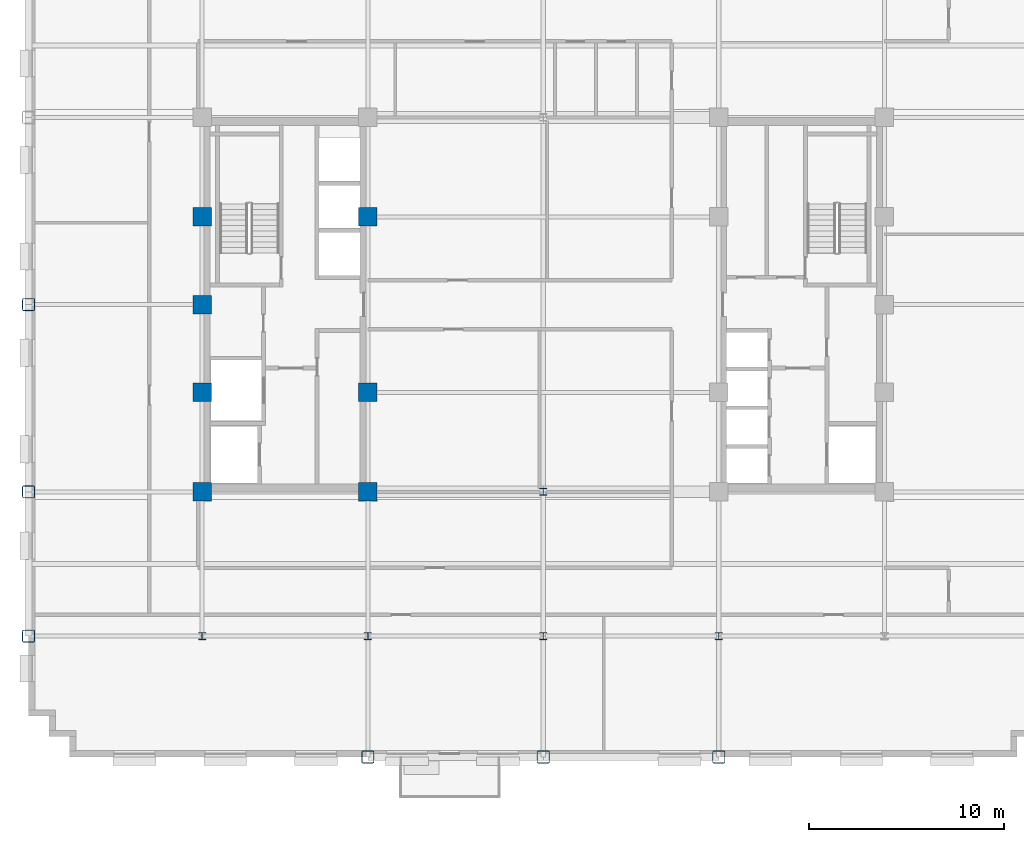
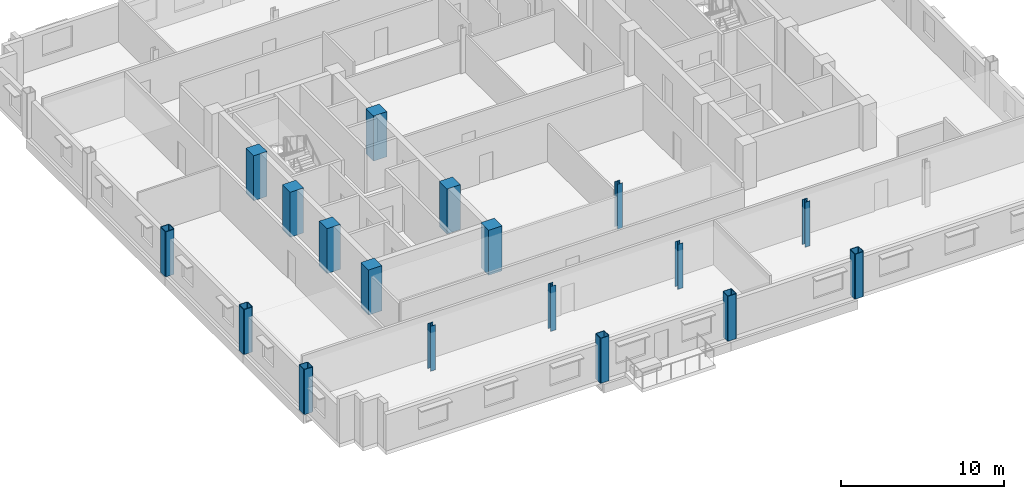
# One storey, part 1 of 14: 18 columns.
"""IFC4 building model written with IfcOpenShell, lengths in metres."""

from ifc_helpers import new_model, si_unit, direction, frame, origin, origin_2d, place, context, subcontext, project, spatial, rectangle, hollow_rectangle, i_section, extrude, material, material_profile, profile_set, type_object, element, save


model = new_model("IFC4")

# Units and contexts
model_context = context("Model", 3, precision=1e-05, world=origin(), true_north=direction((0.0, 1.0)))
body_context = subcontext(model_context, "Body", "Model", "MODEL_VIEW")
ifc_project = project(units=[si_unit("LENGTHUNIT", "METRE"), si_unit("AREAUNIT", "SQUARE_METRE"), si_unit("VOLUMEUNIT", "CUBIC_METRE"), si_unit("PLANEANGLEUNIT", "RADIAN"), si_unit("MASSUNIT", "GRAM", prefix="KILO")], contexts=[model_context])

# Site, building, storey
site_placement = place(None, origin())
site = spatial("IfcSite", under=ifc_project, at=site_placement, CompositionType="ELEMENT")
building_placement = place(site_placement, origin())
building = spatial("IfcBuilding", under=site, at=building_placement, Name="Nuvemarco Arch Tower", CompositionType="ELEMENT")
storey_placement = place(building_placement, frame((0.0, 0.0, 142.10009765625)))
storey = spatial("IfcBuildingStorey", under=building, at=storey_placement, Name="L37", CompositionType="ELEMENT", Elevation=142.10009765625)

# Columns
ifc_material_1 = material(Name="Concrete C50/60", Category="concrete")
ifc_material_profile_1 = material_profile(ifc_material_1, rectangle(XDim=0.949951171875, YDim=0.949951171875, at=origin_2d()), Name="RC-COL-950x950")
ifc_profile_set_1 = profile_set([ifc_material_profile_1], Name="Concrete C50/60")
column_type_1 = type_object("IfcColumnType", Name="COL-CORE-950", PredefinedType="COLUMN", material=ifc_profile_set_1)
for number, where, z_axis, x_axis, name in (
    (1, (-17.5, -9.60009765625, 0.0), (0.0, 0.0, 1.0), (1.0, 0.0, 0.0), "L37 column CC_-17.5_-9.6"),
    (2, (-17.5, -4.5, 0.0), (0.0, 0.0, 1.0), (1.0, 0.0, 0.0), "L37 column CC_-17.5_-4.5"),
    (3, (-17.5, 4.5, 0.0), (0.0, 0.0, 1.0), (1.0, 0.0, 0.0), "L37 column CC_-17.5_+4.5"),
    (4, (-9.0, -9.60009765625, 0.0), (0.0, 0.0, 1.0), (1.0, 0.0, 0.0), "L37 column CC_-9.0_-9.6"),
    (5, (-9.0, -4.5, 0.0), (0.0, 0.0, 1.0), (1.0, 0.0, 0.0), "L37 column CC_-9.0_-4.5"),
    (6, (-9.0, 4.5, 0.0), (0.0, 0.0, 1.0), (1.0, 0.0, 0.0), "L37 column CC_-9.0_+4.5"),
    (7, (-17.5, 0.0, 0.0), (0.0, 0.0, 1.0), (1.0, 0.0, 0.0), "L37 column CC_-17.5_+0.0"),
):
    element("IfcColumn", number, at=place(storey_placement, frame(where, z_axis=z_axis, x_axis=x_axis)), inside=storey, type_object=column_type_1, Name=name, PredefinedType="COLUMN", context=body_context, shape_type="SweptSolid", body=[
        extrude(rectangle(XDim=0.949951171875, YDim=0.949951171875, at=origin_2d()), origin(), (0.0, 0.0, 1.0), 3.369873046875),
    ])
ifc_material_2 = material(Name="Steel S355", Category="steel")
ifc_material_profile_2 = material_profile(ifc_material_2, hollow_rectangle(XDim=0.64990234375, YDim=0.64990234375, WallThickness=0.0400390625, InnerFilletRadius=0.0400390625, OuterFilletRadius=0.080078125, at=origin_2d()), Name="SHS650x650x40")
ifc_profile_set_2 = profile_set([ifc_material_profile_2], Name="Steel S355")
column_type_2 = type_object("IfcColumnType", Name="COL-EXO-650", PredefinedType="COLUMN", material=ifc_profile_set_2)
for number, where, z_axis, x_axis, name in (
    (8, (-26.39990234375, -17.0, 0.0), (0.0, 0.0, 1.0), (1.0, 0.0, 0.0), "L37 column CX_-26.4_-17.0"),
    (9, (-26.39990234375, -9.60009765625, 0.0), (0.0, 0.0, 1.0), (1.0, 0.0, 0.0), "L37 column CX_-26.4_-9.6"),
    (10, (-26.39990234375, 0.0, 0.0), (0.0, 0.0, 1.0), (1.0, 0.0, 0.0), "L37 column CX_-26.4_+0.0"),
    (11, (-9.0, -23.199951171875, 0.0), (0.0, 0.0, 1.0), (1.0, 0.0, 0.0), "L37 column CY_-9.0_-23.2"),
    (12, (0.0, -23.199951171875, 0.0), (0.0, 0.0, 1.0), (1.0, 0.0, 0.0), "L37 column CY_+0.0_-23.2"),
    (13, (9.0, -23.199951171875, 0.0), (0.0, 0.0, 1.0), (1.0, 0.0, 0.0), "L37 column CY_+9.0_-23.2"),
):
    element("IfcColumn", number, at=place(storey_placement, frame(where, z_axis=z_axis, x_axis=x_axis)), inside=storey, type_object=column_type_2, Name=name, PredefinedType="COLUMN", context=body_context, shape_type="SweptSolid", body=[
        extrude(hollow_rectangle(XDim=0.64990234375, YDim=0.64990234375, WallThickness=0.0400390625, InnerFilletRadius=0.0400390625, OuterFilletRadius=0.080078125, at=origin_2d()), origin(), (0.0, 0.0, 1.0), 3.369873046875),
    ])
ifc_material_profile_3 = material_profile(ifc_material_2, i_section(OverallWidth=0.360107421875, OverallDepth=0.360107421875, WebThickness=0.0205078125, FlangeThickness=0.0205078125, FilletRadius=0.01806640625, at=origin_2d()), Name="HP360x174")
ifc_profile_set_3 = profile_set([ifc_material_profile_3], Name="Steel S355")
column_type_3 = type_object("IfcColumnType", Name="COL-STL-HP360", PredefinedType="COLUMN", material=ifc_profile_set_3)
for number, where, z_axis, x_axis, name in (
    (14, (0.0, -17.0, 0.0), (0.0, 0.0, 1.0), (1.0, 0.0, 0.0), "L37 column CI_+0.0_-17.0"),
    (15, (0.0, -9.60009765625, 0.0), (0.0, 0.0, 1.0), (1.0, 0.0, 0.0), "L37 column CI_+0.0_-9.6"),
    (16, (-17.5, -17.0, 0.0), (0.0, 0.0, 1.0), (1.0, 0.0, 0.0), "L37 column CI_-17.5_-17.0"),
    (17, (-9.0, -17.0, 0.0), (0.0, 0.0, 1.0), (1.0, 0.0, 0.0), "L37 column CI_-9.0_-17.0"),
    (18, (9.0, -17.0, 0.0), (0.0, 0.0, 1.0), (1.0, 0.0, 0.0), "L37 column CI_+9.0_-17.0"),
):
    element("IfcColumn", number, at=place(storey_placement, frame(where, z_axis=z_axis, x_axis=x_axis)), inside=storey, type_object=column_type_3, Name=name, PredefinedType="COLUMN", context=body_context, shape_type="SweptSolid", body=[
        extrude(i_section(OverallWidth=0.360107421875, OverallDepth=0.360107421875, WebThickness=0.0205078125, FlangeThickness=0.0205078125, FilletRadius=0.01806640625, at=origin_2d()), origin(), (0.0, 0.0, 1.0), 3.369873046875),
    ])

save(model, "model.ifc")
